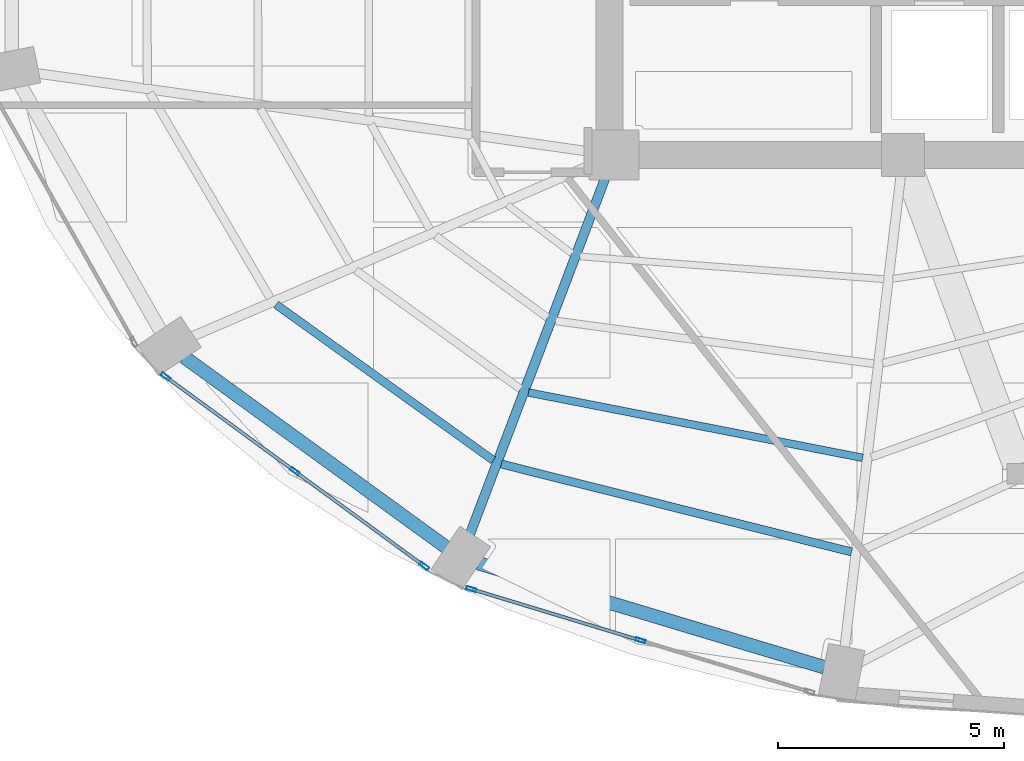
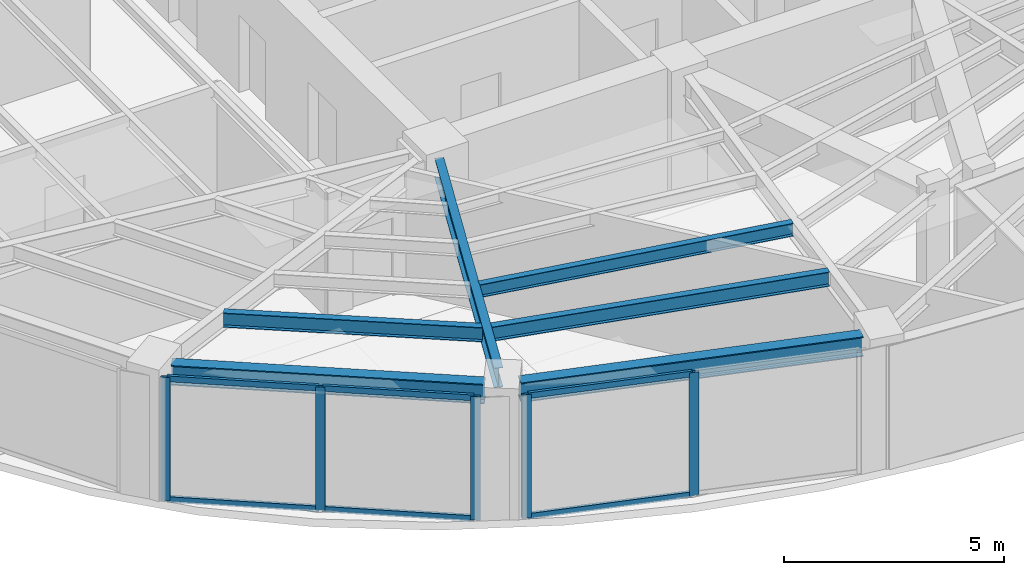
# One storey, part 2 of 20: 11 members, 6 beams, 2 elements without a shape of their own.
"""IFC4 building model written with IfcOpenShell, lengths in metres."""

from ifc_helpers import new_model, si_unit, direction, frame, origin, origin_2d, place, context, subcontext, project, spatial, hollow_rectangle, i_section, extrude, material, layer, layer_set, material_profile, profile_set, type_object, element, aggregate, save


model = new_model("IFC4")

# Units and contexts
model_context = context("Model", 3, precision=1e-05, world=origin(), true_north=direction((0.0, 1.0)))
body_context = subcontext(model_context, "Body", "Model", "MODEL_VIEW")
ifc_project = project(units=[si_unit("LENGTHUNIT", "METRE"), si_unit("AREAUNIT", "SQUARE_METRE"), si_unit("VOLUMEUNIT", "CUBIC_METRE"), si_unit("PLANEANGLEUNIT", "RADIAN"), si_unit("MASSUNIT", "GRAM", prefix="KILO")], contexts=[model_context])

# Site, building, storey
site_placement = place(None, origin())
site = spatial("IfcSite", under=ifc_project, at=site_placement, CompositionType="ELEMENT")
building_placement = place(site_placement, origin())
building = spatial("IfcBuilding", under=site, at=building_placement, Name="Lazwardi Medical Tower", CompositionType="ELEMENT")
storey_placement = place(building_placement, frame((0.0, 0.0, 149.23193359375)))
storey = spatial("IfcBuildingStorey", under=building, at=storey_placement, Name="L38", CompositionType="ELEMENT", Elevation=149.23193359375)

# Beams
ifc_material_1 = material(Name="Steel S355", Category="steel")
ifc_material_profile_1 = material_profile(ifc_material_1, i_section(OverallWidth=0.300048828125, OverallDepth=0.550048828125, WebThickness=0.014892578125, FlangeThickness=0.029052734375, at=origin_2d()), Name="HEB 550")
ifc_profile_set_1 = profile_set([ifc_material_profile_1], Name="Steel S355")
beam_type_1 = type_object("IfcBeamType", Name="BM-RB-Z3", PredefinedType="BEAM", material=ifc_profile_set_1)
beam_1_placement = place(storey_placement, frame((16.88818359375, 15.93408203125, 3.153076171875), z_axis=(0.809127570774, -0.587633026824, 0.0), x_axis=(0.587633026824, 0.809127570774, 0.0)))
element("IfcBeam", 1, at=beam_1_placement, inside=storey, type_object=beam_type_1, Name="Ring beam RB-04 B14 L38", PredefinedType="BEAM", context=body_context, shape_type="SweptSolid", body=[
    extrude(i_section(OverallWidth=0.300048828125, OverallDepth=0.550048828125, WebThickness=0.014892578125, FlangeThickness=0.029052734375, at=origin_2d()), origin(), (0.0, 0.0, 1.0), 7.170166015625),
])
beam_2_placement = place(storey_placement, frame((23.396484375, 11.37060546875, 3.153076171875), z_axis=(0.957616873483, -0.288045002771, 0.0), x_axis=(0.288045002771, 0.957616873483, 0.0)))
element("IfcBeam", 2, at=beam_2_placement, inside=storey, type_object=beam_type_1, Name="Ring beam RB-04 B15 L38", PredefinedType="BEAM", context=body_context, shape_type="SweptSolid", body=[
    extrude(i_section(OverallWidth=0.300048828125, OverallDepth=0.550048828125, WebThickness=0.014892578125, FlangeThickness=0.029052734375, at=origin_2d()), origin(), (0.0, 0.0, 1.0), 7.99951171875),
])
ifc_material_profile_2 = material_profile(ifc_material_1, i_section(OverallWidth=0.2099609375, OverallDepth=0.550048828125, WebThickness=0.010986328125, FlangeThickness=0.01708984375, at=origin_2d()), Name="IPE 550")
ifc_profile_set_2 = profile_set([ifc_material_profile_2], Name="Steel S355")
beam_type_2 = type_object("IfcBeamType", Name="BM-RG-W2", PredefinedType="BEAM", material=ifc_profile_set_2)
beam_3_placement = place(storey_placement, frame((23.21240234375, 12.00927734375, 3.153076171875), z_axis=(0.355126771712, 0.934818151307, 0.0), x_axis=(-0.934818151307, 0.355126771712, 0.0)))
element("IfcBeam", 3, at=beam_3_placement, inside=storey, type_object=beam_type_2, Name="Radial girder RG-03 R15 L38", PredefinedType="BEAM", context=body_context, shape_type="SweptSolid", body=[
    extrude(i_section(OverallWidth=0.2099609375, OverallDepth=0.550048828125, WebThickness=0.010986328125, FlangeThickness=0.01708984375, at=origin_2d()), origin(), (0.0, 0.0, 1.0), 8.44091796875),
])
ifc_material_profile_3 = material_profile(ifc_material_1, i_section(OverallWidth=0.179931640625, OverallDepth=0.39990234375, WebThickness=0.008544921875, FlangeThickness=0.013427734375, at=origin_2d()), Name="IPE 400")
ifc_profile_set_3 = profile_set([ifc_material_profile_3], Name="Steel S355")
beam_type_3 = type_object("IfcBeamType", Name="BM-SJ-01", PredefinedType="JOIST", material=ifc_profile_set_3)
beam_4_placement = place(storey_placement, frame((18.926025390625, 17.091796875, 3.22802734375), z_axis=(0.812602017757, -0.582818977675, 0.0), x_axis=(0.582818977675, 0.812602017757, 0.0)))
element("IfcBeam", 4, at=beam_4_placement, inside=storey, type_object=beam_type_3, Name="Secondary joist SJ-01 R1 B14 L38", PredefinedType="JOIST", context=body_context, shape_type="SweptSolid", body=[
    extrude(i_section(OverallWidth=0.179931640625, OverallDepth=0.39990234375, WebThickness=0.008544921875, FlangeThickness=0.013427734375, at=origin_2d()), origin(), (0.0, 0.0, 1.0), 5.91259765625),
])
beam_5_placement = place(storey_placement, frame((23.908935546875, 13.56298828125, 3.22802734375), z_axis=(0.969933596942, -0.243369713652, 0.0), x_axis=(0.243369713652, 0.969933596942, 0.0)))
element("IfcBeam", 5, at=beam_5_placement, inside=storey, type_object=beam_type_3, Name="Secondary joist SJ-01 R1 B15 L38", PredefinedType="JOIST", context=body_context, shape_type="SweptSolid", body=[
    extrude(i_section(OverallWidth=0.179931640625, OverallDepth=0.39990234375, WebThickness=0.008544921875, FlangeThickness=0.013427734375, at=origin_2d()), origin(), (0.0, 0.0, 1.0), 7.98828125),
])
ifc_material_profile_4 = material_profile(ifc_material_1, i_section(OverallWidth=0.169921875, OverallDepth=0.360107421875, WebThickness=0.008056640625, FlangeThickness=0.0126953125, at=origin_2d()), Name="IPE 360")
ifc_profile_set_4 = profile_set([ifc_material_profile_4], Name="Steel S355")
beam_type_4 = type_object("IfcBeamType", Name="BM-SJ-02", PredefinedType="JOIST", material=ifc_profile_set_4)
beam_6_placement = place(storey_placement, frame((24.509521484375, 15.146484375, 3.248046875), z_axis=(0.98141534692, -0.191895588353, 0.0), x_axis=(0.191895588353, 0.98141534692, 0.0)))
element("IfcBeam", 6, at=beam_6_placement, inside=storey, type_object=beam_type_4, Name="Secondary joist SJ-02 R2 B15 L38", PredefinedType="JOIST", context=body_context, shape_type="SweptSolid", body=[
    extrude(i_section(OverallWidth=0.169921875, OverallDepth=0.360107421875, WebThickness=0.008056640625, FlangeThickness=0.0126953125, at=origin_2d()), origin(), (0.0, 0.0, 1.0), 7.534423828125),
])

# Curtain wall, members
ifc_material_2 = material(Name="Anodised bronze aluminium and solar control glazing", Category="aluminium")
ifc_layer = layer(ifc_material_2, 0.195068359375)
ifc_layer_set = layer_set([ifc_layer], Name="Anodised bronze aluminium and solar control glazing")
curtain_wall_type = type_object("IfcCurtainWallType", Name="CW-SYS-03", PredefinedType="NOTDEFINED", material=ifc_layer_set)
curtain_wall_1_placement = place(storey_placement, origin())
curtain_wall_1 = element("IfcCurtainWall", 7, at=curtain_wall_1_placement, inside=storey, type_object=curtain_wall_type, Name="L38 Unitised bronze curtain wall CW-03", PredefinedType="NOTDEFINED")
ifc_material_3 = material(Name="Anodised bronze aluminium", Category="aluminium")
ifc_material_profile_5 = material_profile(ifc_material_3, hollow_rectangle(XDim=0.074951171875, YDim=0.219970703125, WallThickness=0.00390625, at=origin_2d()), Name="ALU-MULLION 220x75x4")
ifc_profile_set_5 = profile_set([ifc_material_profile_5], Name="Anodised bronze aluminium")
member_type_1 = type_object("IfcMemberType", Name="CW-MUL-01", PredefinedType="MULLION", material=ifc_profile_set_5)
member_1_placement = place(storey_placement, frame((16.480224609375, 15.4970703125, 0.0), z_axis=(0.0, 0.0, 1.0), x_axis=(0.590833862635, 0.806793249082, 0.0)))
member_1 = element("IfcMember", 8, at=member_1_placement, type_object=member_type_1, Name="CW-03 mullion 1", PredefinedType="MULLION", context=body_context, shape_type="SweptSolid", body=[
    extrude(hollow_rectangle(XDim=0.074951171875, YDim=0.219970703125, WallThickness=0.00390625, at=origin_2d()), origin(), (0.0, 0.0, 1.0), 3.427978515625),
])
member_2_placement = place(storey_placement, frame((19.34228515625, 13.401123046875, 0.0), z_axis=(0.0, 0.0, 1.0), x_axis=(0.590833862635, 0.806793249082, 0.0)))
member_2 = element("IfcMember", 9, at=member_2_placement, type_object=member_type_1, Name="CW-03 mullion 2", PredefinedType="MULLION", context=body_context, shape_type="SweptSolid", body=[
    extrude(hollow_rectangle(XDim=0.074951171875, YDim=0.219970703125, WallThickness=0.00390625, at=origin_2d()), origin(), (0.0, 0.0, 1.0), 3.427978515625),
])
member_3_placement = place(storey_placement, frame((22.204345703125, 11.30517578125, 0.0), z_axis=(0.0, 0.0, 1.0), x_axis=(0.590833862635, 0.806793249082, 0.0)))
member_3 = element("IfcMember", 10, at=member_3_placement, type_object=member_type_1, Name="CW-03 mullion 3", PredefinedType="MULLION", context=body_context, shape_type="SweptSolid", body=[
    extrude(hollow_rectangle(XDim=0.074951171875, YDim=0.219970703125, WallThickness=0.00390625, at=origin_2d()), origin(), (0.0, 0.0, 1.0), 3.427978515625),
])

curtain_wall_2_placement = place(storey_placement, origin())
curtain_wall_2 = element("IfcCurtainWall", 11, at=curtain_wall_2_placement, inside=storey, type_object=curtain_wall_type, Name="L38 Unitised bronze curtain wall CW-03", PredefinedType="NOTDEFINED")
member_4_placement = place(storey_placement, frame((23.241943359375, 10.796630859375, 0.0), z_axis=(0.0, 0.0, 1.0), x_axis=(0.290280785441, 0.956941516292, 0.0)))
member_4 = element("IfcMember", 12, at=member_4_placement, type_object=member_type_1, Name="CW-03 mullion 1", PredefinedType="MULLION", context=body_context, shape_type="SweptSolid", body=[
    extrude(hollow_rectangle(XDim=0.074951171875, YDim=0.219970703125, WallThickness=0.00390625, at=origin_2d()), origin(), (0.0, 0.0, 1.0), 3.427978515625),
])
member_5_placement = place(storey_placement, frame((26.98486328125, 9.661376953125, 0.0), z_axis=(0.0, 0.0, 1.0), x_axis=(0.290280785441, 0.956941516292, 0.0)))
member_5 = element("IfcMember", 13, at=member_5_placement, type_object=member_type_1, Name="CW-03 mullion 2", PredefinedType="MULLION", context=body_context, shape_type="SweptSolid", body=[
    extrude(hollow_rectangle(XDim=0.074951171875, YDim=0.219970703125, WallThickness=0.00390625, at=origin_2d()), origin(), (0.0, 0.0, 1.0), 3.427978515625),
])

# Member
ifc_material_profile_6 = material_profile(ifc_material_3, hollow_rectangle(XDim=0.074951171875, YDim=0.159912109375, WallThickness=0.00390625, at=origin_2d()), Name="ALU-TRANSOM 160x75x4")
ifc_profile_set_6 = profile_set([ifc_material_profile_6], Name="Anodised bronze aluminium")
member_type_2 = type_object("IfcMemberType", Name="CW-TRN-01", PredefinedType="USERDEFINED", material=ifc_profile_set_6)
member_6_placement = place(storey_placement, frame((16.510498046875, 15.474853515625, 0.03759765625), z_axis=(0.806807161185, -0.590814864962, 0.0), x_axis=(0.590814864962, 0.806807161185, 0.0)))
member_6 = element("IfcMember", 14, at=member_6_placement, type_object=member_type_2, Name="CW-03 transom 1.1", ObjectType="TRANSOM", PredefinedType="USERDEFINED", context=body_context, shape_type="SweptSolid", body=[
    extrude(hollow_rectangle(XDim=0.074951171875, YDim=0.159912109375, WallThickness=0.00390625, at=origin_2d()), origin(), (0.0, 0.0, 1.0), 3.472412109375),
])

member_7_placement = place(storey_placement, frame((16.510498046875, 15.474853515625, 3.390625), z_axis=(0.806807161185, -0.590814864962, 0.0), x_axis=(0.590814864962, 0.806807161185, 0.0)))
member_7 = element("IfcMember", 15, at=member_7_placement, type_object=member_type_2, Name="CW-03 transom 1.2", ObjectType="TRANSOM", PredefinedType="USERDEFINED", context=body_context, shape_type="SweptSolid", body=[
    extrude(hollow_rectangle(XDim=0.074951171875, YDim=0.159912109375, WallThickness=0.00390625, at=origin_2d()), origin(), (0.0, 0.0, 1.0), 3.472412109375),
])

member_8_placement = place(storey_placement, frame((19.37255859375, 13.37890625, 0.03759765625), z_axis=(0.806807161185, -0.590814864962, 0.0), x_axis=(0.590814864962, 0.806807161185, 0.0)))
member_8 = element("IfcMember", 16, at=member_8_placement, type_object=member_type_2, Name="CW-03 transom 2.1", ObjectType="TRANSOM", PredefinedType="USERDEFINED", context=body_context, shape_type="SweptSolid", body=[
    extrude(hollow_rectangle(XDim=0.074951171875, YDim=0.159912109375, WallThickness=0.00390625, at=origin_2d()), origin(), (0.0, 0.0, 1.0), 3.472412109375),
])

member_9_placement = place(storey_placement, frame((19.37255859375, 13.37890625, 3.390625), z_axis=(0.806807161185, -0.590814864962, 0.0), x_axis=(0.590814864962, 0.806807161185, 0.0)))
member_9 = element("IfcMember", 17, at=member_9_placement, type_object=member_type_2, Name="CW-03 transom 2.2", ObjectType="TRANSOM", PredefinedType="USERDEFINED", context=body_context, shape_type="SweptSolid", body=[
    extrude(hollow_rectangle(XDim=0.074951171875, YDim=0.159912109375, WallThickness=0.00390625, at=origin_2d()), origin(), (0.0, 0.0, 1.0), 3.472412109375),
])

aggregate(curtain_wall_1, [member_1, member_2, member_3, member_6, member_7, member_8, member_9])

member_10_placement = place(storey_placement, frame((23.27783203125, 10.785888671875, 0.03759765625), z_axis=(0.956930154175, -0.290318239233, 0.0), x_axis=(0.290318239233, 0.956930154175, 0.0)))
member_10 = element("IfcMember", 18, at=member_10_placement, type_object=member_type_2, Name="CW-03 transom 1.1", ObjectType="TRANSOM", PredefinedType="USERDEFINED", context=body_context, shape_type="SweptSolid", body=[
    extrude(hollow_rectangle(XDim=0.074951171875, YDim=0.159912109375, WallThickness=0.00390625, at=origin_2d()), origin(), (0.0, 0.0, 1.0), 3.83642578125),
])

member_11_placement = place(storey_placement, frame((23.27783203125, 10.785888671875, 3.390625), z_axis=(0.956930154175, -0.290318239233, 0.0), x_axis=(0.290318239233, 0.956930154175, 0.0)))
member_11 = element("IfcMember", 19, at=member_11_placement, type_object=member_type_2, Name="CW-03 transom 1.2", ObjectType="TRANSOM", PredefinedType="USERDEFINED", context=body_context, shape_type="SweptSolid", body=[
    extrude(hollow_rectangle(XDim=0.074951171875, YDim=0.159912109375, WallThickness=0.00390625, at=origin_2d()), origin(), (0.0, 0.0, 1.0), 3.83642578125),
])

aggregate(curtain_wall_2, [member_4, member_5, member_10, member_11])

save(model, "model.ifc")
